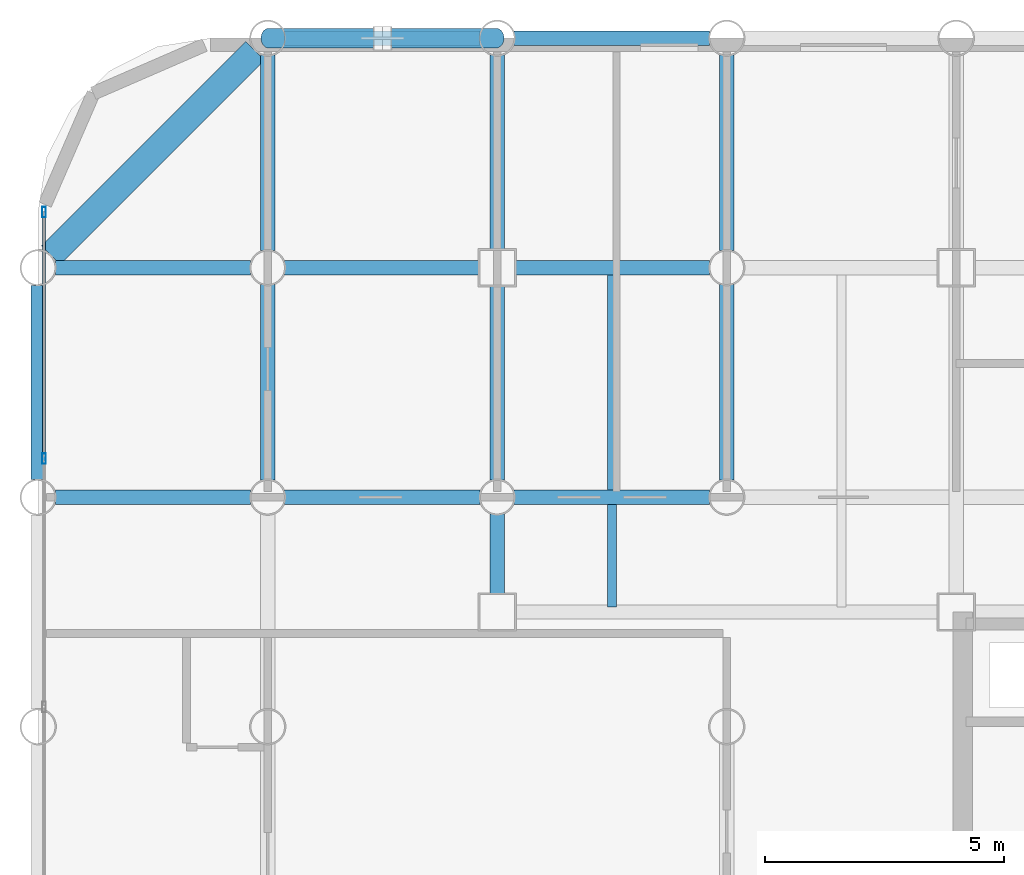
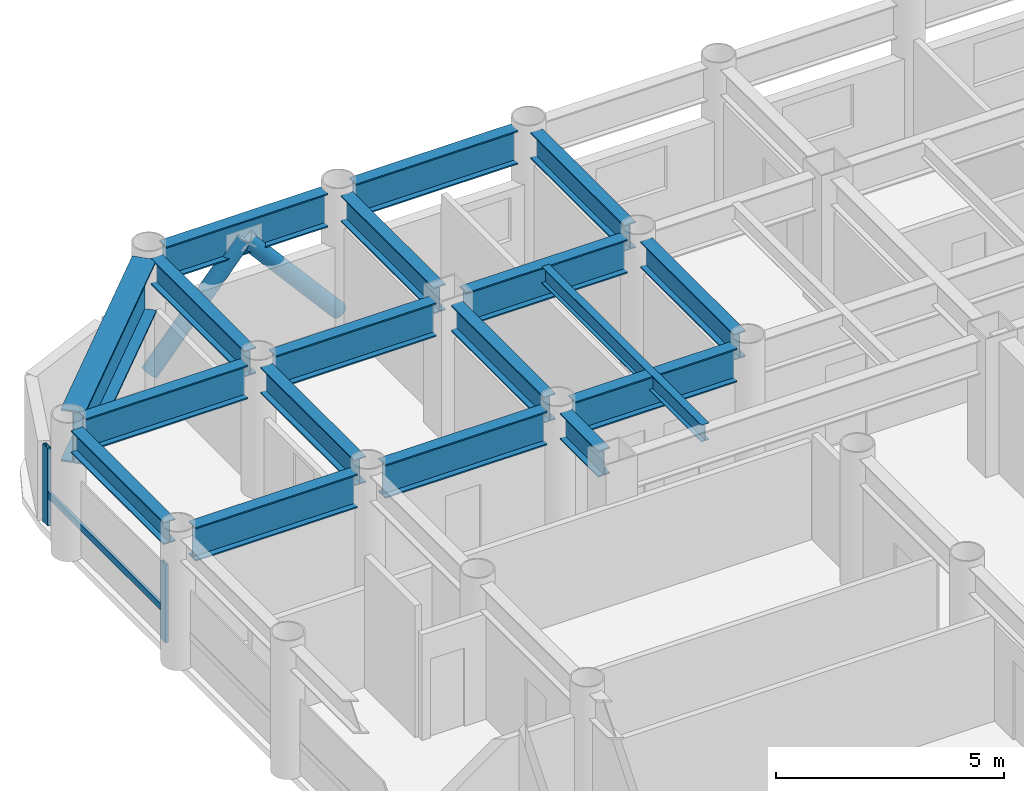
# One storey, part 9 of 21: 18 beams, 5 members, 1 element without a shape of its own.
"""IFC4 building model written with IfcOpenShell, lengths in metres."""

from ifc_helpers import new_model, si_unit, direction, frame, origin, origin_2d, place, context, subcontext, project, spatial, hollow_rectangle, hollow_circle, i_section, extrude, material, layer, layer_set, material_profile, profile_set, type_object, element, aggregate, save


model = new_model("IFC4")

# Units and contexts
model_context = context("Model", 3, precision=1e-05, world=origin(), true_north=direction((0.0, 1.0)))
body_context = subcontext(model_context, "Body", "Model", "MODEL_VIEW")
ifc_project = project(units=[si_unit("LENGTHUNIT", "METRE"), si_unit("AREAUNIT", "SQUARE_METRE"), si_unit("VOLUMEUNIT", "CUBIC_METRE"), si_unit("PLANEANGLEUNIT", "RADIAN"), si_unit("MASSUNIT", "GRAM", prefix="KILO")], contexts=[model_context])

# Site, building, storey
site_placement = place(None, origin())
site = spatial("IfcSite", under=ifc_project, at=site_placement, CompositionType="ELEMENT")
building_placement = place(site_placement, origin())
building = spatial("IfcBuilding", under=site, at=building_placement, Name="Kallvorn Hotel Tower", CompositionType="ELEMENT")
storey_placement = place(building_placement, frame((0.0, 0.0, 52.199951171875)))
storey = spatial("IfcBuildingStorey", under=building, at=storey_placement, Name="L11", CompositionType="ELEMENT", Elevation=52.199951171875)

# Beams
ifc_material_1 = material(Name="Structural steel S355JR", Category="steel")
ifc_material_profile_1 = material_profile(ifc_material_1, i_section(OverallWidth=0.300048828125, OverallDepth=0.60009765625, WebThickness=0.015380859375, FlangeThickness=0.030029296875, at=origin_2d()), Name="HE 600 B")
ifc_profile_set_1 = profile_set([ifc_material_profile_1], Name="Structural steel S355JR")
beam_type_1 = type_object("IfcBeamType", Name="BM_HE600B", PredefinedType="SPANDREL", material=ifc_profile_set_1)
beam_1_placement = place(storey_placement, frame((-33.60009765625, 9.970947265625, 3.219970703125), z_axis=(0.0, 1.0, 0.0), x_axis=(-1.0, 0.0, 0.0)))
element("IfcBeam", 1, at=beam_1_placement, inside=storey, type_object=beam_type_1, Name="L12 Perimeter Spandrel 180", PredefinedType="SPANDREL", context=body_context, shape_type="SweptSolid", body=[
    extrude(i_section(OverallWidth=0.300048828125, OverallDepth=0.60009765625, WebThickness=0.015380859375, FlangeThickness=0.030029296875, at=origin_2d()), origin(), (0.0, 0.0, 1.0), 4.05810546875),
])
ifc_material_2 = material(Name="Structural steel S355JR", Category="steel")
ifc_material_profile_2 = material_profile(ifc_material_2, i_section(OverallWidth=0.300048828125, OverallDepth=0.699951171875, WebThickness=0.01708984375, FlangeThickness=0.031982421875, at=origin_2d()), Name="HE 700 B")
ifc_profile_set_2 = profile_set([ifc_material_profile_2], Name="Structural steel S355JR")
beam_type_2 = type_object("IfcBeamType", Name="BM_HE700B", PredefinedType="BEAM", material=ifc_profile_set_2)
for number, where, z_axis, x_axis, name in (
    (2, (-28.800048828125, 9.9560546875, 3.170166015625), (0.0, 1.0, 0.0), (-1.0, 0.0, 0.0), "L12 Primary Y-Girder 80"),
    (3, (-28.800048828125, 14.756103515625, 3.170166015625), (0.0, 1.0, 0.0), (-1.0, 0.0, 0.0), "L12 Primary Y-Girder 81"),
):
    element("IfcBeam", number, at=place(storey_placement, frame(where, z_axis=z_axis, x_axis=x_axis)), inside=storey, type_object=beam_type_2, Name=name, PredefinedType="BEAM", context=body_context, shape_type="SweptSolid", body=[
        extrude(i_section(OverallWidth=0.300048828125, OverallDepth=0.699951171875, WebThickness=0.01708984375, FlangeThickness=0.031982421875, at=origin_2d()), origin(), (0.0, 0.0, 1.0), 4.087890625),
    ])
beam_2_placement = place(storey_placement, frame((-24.0, 7.574951171875, 3.170166015625), z_axis=(0.0, 1.0, 0.0), x_axis=(-1.0, 0.0, 0.0)))
element("IfcBeam", 4, at=beam_2_placement, inside=storey, type_object=beam_type_2, Name="L12 Primary Y-Girder 86", PredefinedType="BEAM", context=body_context, shape_type="SweptSolid", body=[
    extrude(i_section(OverallWidth=0.300048828125, OverallDepth=0.699951171875, WebThickness=0.01708984375, FlangeThickness=0.031982421875, at=origin_2d()), origin(), (0.0, 0.0, 1.0), 1.6689453125),
])
beam_3_placement = place(storey_placement, frame((-24.0, 9.9560546875, 3.170166015625), z_axis=(0.0, 1.0, 0.0), x_axis=(-1.0, 0.0, 0.0)))
element("IfcBeam", 5, at=beam_3_placement, inside=storey, type_object=beam_type_2, Name="L12 Primary Y-Girder 87", PredefinedType="BEAM", context=body_context, shape_type="SweptSolid", body=[
    extrude(i_section(OverallWidth=0.300048828125, OverallDepth=0.699951171875, WebThickness=0.01708984375, FlangeThickness=0.031982421875, at=origin_2d()), origin(), (0.0, 0.0, 1.0), 4.06884765625),
])
beam_4_placement = place(storey_placement, frame((-24.0, 14.77490234375, 3.170166015625), z_axis=(0.0, 1.0, 0.0), x_axis=(-1.0, 0.0, 0.0)))
element("IfcBeam", 6, at=beam_4_placement, inside=storey, type_object=beam_type_2, Name="L12 Primary Y-Girder 88", PredefinedType="BEAM", context=body_context, shape_type="SweptSolid", body=[
    extrude(i_section(OverallWidth=0.300048828125, OverallDepth=0.699951171875, WebThickness=0.01708984375, FlangeThickness=0.031982421875, at=origin_2d()), origin(), (0.0, 0.0, 1.0), 4.069091796875),
])
for number, where, z_axis, x_axis, name in (
    (7, (-19.199951171875, 9.9560546875, 3.170166015625), (0.0, 1.0, 0.0), (-1.0, 0.0, 0.0), "L12 Primary Y-Girder 96"),
    (8, (-19.199951171875, 14.756103515625, 3.170166015625), (0.0, 1.0, 0.0), (-1.0, 0.0, 0.0), "L12 Primary Y-Girder 97"),
):
    element("IfcBeam", number, at=place(storey_placement, frame(where, z_axis=z_axis, x_axis=x_axis)), inside=storey, type_object=beam_type_2, Name=name, PredefinedType="BEAM", context=body_context, shape_type="SweptSolid", body=[
        extrude(i_section(OverallWidth=0.300048828125, OverallDepth=0.699951171875, WebThickness=0.01708984375, FlangeThickness=0.031982421875, at=origin_2d()), origin(), (0.0, 0.0, 1.0), 4.087890625),
    ])
ifc_material_3 = material(Name="Structural steel S355JR", Category="steel")
ifc_material_profile_3 = material_profile(ifc_material_3, i_section(OverallWidth=0.300048828125, OverallDepth=0.89990234375, WebThickness=0.0185546875, FlangeThickness=0.034912109375, at=origin_2d()), Name="HE 900 B")
ifc_profile_set_3 = profile_set([ifc_material_profile_3], Name="Structural steel S355JR")
beam_type_3 = type_object("IfcBeamType", Name="BM_HE900B", PredefinedType="BEAM", material=ifc_profile_set_3)
beam_5_placement = place(storey_placement, frame((-33.243896484375, 9.60009765625, 3.070068359375), z_axis=(1.0, 0.0, 0.0), x_axis=(0.0, 1.0, 0.0)))
element("IfcBeam", 9, at=beam_5_placement, inside=storey, type_object=beam_type_3, Name="L12 Primary X-Girder 42", PredefinedType="BEAM", context=body_context, shape_type="SweptSolid", body=[
    extrude(i_section(OverallWidth=0.300048828125, OverallDepth=0.89990234375, WebThickness=0.0185546875, FlangeThickness=0.034912109375, at=origin_2d()), origin(), (0.0, 0.0, 1.0), 4.087890625),
])
for number, where, z_axis, x_axis, name in (
    (10, (-28.444091796875, 9.60009765625, 3.070068359375), (1.0, 0.0, 0.0), (0.0, 1.0, 0.0), "L12 Primary X-Girder 43"),
    (11, (-23.64404296875, 9.60009765625, 3.070068359375), (1.0, 0.0, 0.0), (0.0, 1.0, 0.0), "L12 Primary X-Girder 44"),
):
    element("IfcBeam", number, at=place(storey_placement, frame(where, z_axis=z_axis, x_axis=x_axis)), inside=storey, type_object=beam_type_3, Name=name, PredefinedType="BEAM", context=body_context, shape_type="SweptSolid", body=[
        extrude(i_section(OverallWidth=0.300048828125, OverallDepth=0.89990234375, WebThickness=0.0185546875, FlangeThickness=0.034912109375, at=origin_2d()), origin(), (0.0, 0.0, 1.0), 4.088134765625),
    ])
beam_6_placement = place(storey_placement, frame((-33.243896484375, 14.39990234375, 3.070068359375), z_axis=(1.0, 0.0, 0.0), x_axis=(0.0, 1.0, 0.0)))
element("IfcBeam", 12, at=beam_6_placement, inside=storey, type_object=beam_type_3, Name="L12 Primary X-Girder 51", PredefinedType="BEAM", context=body_context, shape_type="SweptSolid", body=[
    extrude(i_section(OverallWidth=0.300048828125, OverallDepth=0.89990234375, WebThickness=0.0185546875, FlangeThickness=0.034912109375, at=origin_2d()), origin(), (0.0, 0.0, 1.0), 4.087890625),
])
for number, where, z_axis, x_axis, name in (
    (13, (-28.444091796875, 14.39990234375, 3.070068359375), (1.0, 0.0, 0.0), (0.0, 1.0, 0.0), "L12 Primary X-Girder 52"),
    (14, (-23.625, 14.39990234375, 3.070068359375), (1.0, 0.0, 0.0), (0.0, 1.0, 0.0), "L12 Primary X-Girder 53"),
):
    element("IfcBeam", number, at=place(storey_placement, frame(where, z_axis=z_axis, x_axis=x_axis)), inside=storey, type_object=beam_type_3, Name=name, PredefinedType="BEAM", context=body_context, shape_type="SweptSolid", body=[
        extrude(i_section(OverallWidth=0.300048828125, OverallDepth=0.89990234375, WebThickness=0.0185546875, FlangeThickness=0.034912109375, at=origin_2d()), origin(), (0.0, 0.0, 1.0), 4.069091796875),
    ])
for number, where, z_axis, x_axis, name in (
    (15, (-28.444091796875, 19.199951171875, 3.070068359375), (1.0, 0.0, 0.0), (0.0, 1.0, 0.0), "L12 Primary X-Girder 61"),
    (16, (-23.64404296875, 19.199951171875, 3.070068359375), (1.0, 0.0, 0.0), (0.0, 1.0, 0.0), "L12 Primary X-Girder 62"),
):
    element("IfcBeam", number, at=place(storey_placement, frame(where, z_axis=z_axis, x_axis=x_axis)), inside=storey, type_object=beam_type_3, Name=name, PredefinedType="BEAM", context=body_context, shape_type="SweptSolid", body=[
        extrude(i_section(OverallWidth=0.300048828125, OverallDepth=0.89990234375, WebThickness=0.0185546875, FlangeThickness=0.034912109375, at=origin_2d()), origin(), (0.0, 0.0, 1.0), 4.088134765625),
    ])
ifc_material_4 = material(Name="Structural steel S355JR", Category="steel")
ifc_material_profile_4 = material_profile(ifc_material_4, i_section(OverallWidth=0.18994140625, OverallDepth=0.449951171875, WebThickness=0.009521484375, FlangeThickness=0.0146484375, at=origin_2d()), Name="IPE 450")
ifc_profile_set_4 = profile_set([ifc_material_profile_4], Name="Structural steel S355JR")
beam_type_4 = type_object("IfcBeamType", Name="BM_IPE450", PredefinedType="JOIST", material=ifc_profile_set_4)
beam_7_placement = place(storey_placement, frame((-21.60009765625, 7.300048828125, 3.295166015625), z_axis=(0.0, 1.0, 0.0), x_axis=(-1.0, 0.0, 0.0)))
element("IfcBeam", 17, at=beam_7_placement, inside=storey, type_object=beam_type_4, Name="L12 Secondary Composite Joist 193", PredefinedType="JOIST", context=body_context, shape_type="SweptSolid", body=[
    extrude(i_section(OverallWidth=0.18994140625, OverallDepth=0.449951171875, WebThickness=0.009521484375, FlangeThickness=0.0146484375, at=origin_2d()), origin(), (0.0, 0.0, 1.0), 7.0),
])
ifc_material_5 = material(Name="Structural steel S355JR", Category="steel")
ifc_material_profile_5 = material_profile(ifc_material_5, i_section(OverallWidth=0.550048828125, OverallDepth=1.39990234375, WebThickness=0.02490234375, FlangeThickness=0.044921875, at=origin_2d()), Name="PG 1400x550x25x45")
ifc_profile_set_5 = profile_set([ifc_material_profile_5], Name="Structural steel S355JR")
beam_type_5 = type_object("IfcBeamType", Name="BM_PG_1400", PredefinedType="BEAM", material=ifc_profile_set_5)
beam_8_placement = place(storey_placement, frame((-33.337646484375, 14.662353515625, 2.820068359375), z_axis=(0.707106781187, 0.707106781187, 0.0), x_axis=(-0.707106781187, 0.707106781187, 0.0)))
element("IfcBeam", 18, at=beam_8_placement, inside=storey, type_object=beam_type_5, Name="L12 Rounded Corner Tie Beam 190", PredefinedType="BEAM", context=body_context, shape_type="SweptSolid", body=[
    extrude(i_section(OverallWidth=0.550048828125, OverallDepth=1.39990234375, WebThickness=0.02490234375, FlangeThickness=0.044921875, at=origin_2d()), origin(), (0.0, 0.0, 1.0), 6.04638671875),
])

# Curtain wall, members
ifc_material_6 = material(Name="Thermally broken black-anodised aluminium AA 6063-T6", Category="aluminium")
ifc_layer = layer(ifc_material_6, 0.199951171875)
ifc_layer_set = layer_set([ifc_layer], Name="CW_SYS_3_HOTEL_LOW")
curtain_wall_type = type_object("IfcCurtainWallType", Name="CW_SYS_3_HOTEL_LOW", PredefinedType="USERDEFINED", material=ifc_layer_set)
curtain_wall_placement = place(storey_placement, origin())
curtain_wall = element("IfcCurtainWall", 19, at=curtain_wall_placement, inside=storey, type_object=curtain_wall_type, Name="L11 Dark-Glass Curtain Wall CW-L11-WN", ObjectType="UNITISED CURTAIN WALL", PredefinedType="USERDEFINED")
ifc_material_7 = material(Name="Thermally broken black-anodised aluminium AA 6063-T6", Category="aluminium")
ifc_material_profile_6 = material_profile(ifc_material_7, hollow_rectangle(XDim=0.080078125, YDim=0.219970703125, WallThickness=0.0048828125, at=origin_2d()), Name="MUL 220x80")
ifc_profile_set_6 = profile_set([ifc_material_profile_6], Name="Thermally broken black-anodised aluminium AA 6063-T6")
member_type_1 = type_object("IfcMemberType", Name="CW_MULLION_220x80", PredefinedType="MULLION", material=ifc_profile_set_6)
member_1_placement = place(storey_placement, frame((-33.47998046875, 10.40673828125, 0.02001953125), z_axis=(0.0, 0.0, 1.0), x_axis=(1.0, 0.0, 0.0)))
member_1 = element("IfcMember", 20, at=member_1_placement, type_object=member_type_1, Name="CW-L11-WN Mullion 02", PredefinedType="MULLION", context=body_context, shape_type="SweptSolid", body=[
    extrude(hollow_rectangle(XDim=0.080078125, YDim=0.219970703125, WallThickness=0.0048828125, at=origin_2d()), origin(), (0.0, 0.0, 1.0), 2.080078125),
])
member_2_placement = place(storey_placement, frame((-33.47998046875, 15.56005859375, 0.02001953125), z_axis=(0.0, 0.0, 1.0), x_axis=(1.0, 0.0, 0.0)))
member_2 = element("IfcMember", 21, at=member_2_placement, type_object=member_type_1, Name="CW-L11-WN Mullion 03", PredefinedType="MULLION", context=body_context, shape_type="SweptSolid", body=[
    extrude(hollow_rectangle(XDim=0.080078125, YDim=0.219970703125, WallThickness=0.0048828125, at=origin_2d()), origin(), (0.0, 0.0, 1.0), 2.080078125),
])
ifc_material_8 = material(Name="Thermally broken black-anodised aluminium AA 6063-T6", Category="aluminium")
ifc_material_profile_7 = material_profile(ifc_material_8, hollow_rectangle(XDim=0.070068359375, YDim=0.179931640625, WallThickness=0.00390625, at=origin_2d()), Name="TRN 180x70")
ifc_profile_set_7 = profile_set([ifc_material_profile_7], Name="Thermally broken black-anodised aluminium AA 6063-T6")
member_type_2 = type_object("IfcMemberType", Name="CW_TRANSOM_180x70", PredefinedType="USERDEFINED", material=ifc_profile_set_7)
member_3_placement = place(storey_placement, frame((-33.47998046875, 10.44677734375, 0.85009765625), z_axis=(0.0, 1.0, 0.0), x_axis=(-1.0, 0.0, 0.0)))
member_3 = element("IfcMember", 22, at=member_3_placement, type_object=member_type_2, Name="CW-L11-WN Transom 02M", ObjectType="TRANSOM", PredefinedType="USERDEFINED", context=body_context, shape_type="SweptSolid", body=[
    extrude(hollow_rectangle(XDim=0.070068359375, YDim=0.179931640625, WallThickness=0.00390625, at=origin_2d()), origin(), (0.0, 0.0, 1.0), 5.11328125),
])
aggregate(curtain_wall, [member_1, member_2, member_3])

# Members
ifc_material_9 = material(Name="Structural steel S355J2H", Category="steel")
ifc_material_profile_8 = material_profile(ifc_material_9, hollow_circle(Radius=0.203125, WallThickness=0.01611328125, at=origin_2d()), Name="CHS 406.4x16")
ifc_profile_set_8 = profile_set([ifc_material_profile_8], Name="Structural steel S355J2H")
member_type_3 = type_object("IfcMemberType", Name="MBR_EXO_CHS406", PredefinedType="BRACE", material=ifc_profile_set_8)
for number, where, z_axis, x_axis, name in (
    (23, (-28.786865234375, 19.199951171875, 0.195068359375), (0.653427382465, 0.0, 0.756989204576), (0.0, 1.0, 0.0), "L11 Exoskeleton K-Brace N1A"),
    (24, (-24.01318359375, 19.199951171875, 0.195068359375), (-0.653427382465, 0.0, 0.756989204576), (0.0, -1.0, 0.0), "L11 Exoskeleton K-Brace N1B"),
):
    element("IfcMember", number, at=place(storey_placement, frame(where, z_axis=z_axis, x_axis=x_axis)), inside=storey, type_object=member_type_3, Name=name, PredefinedType="BRACE", context=body_context, shape_type="SweptSolid", body=[
        extrude(hollow_circle(Radius=0.203125, WallThickness=0.01611328125, at=origin_2d()), origin(), (0.0, 0.0, 1.0), 3.6328125),
    ])

save(model, "model.ifc")
